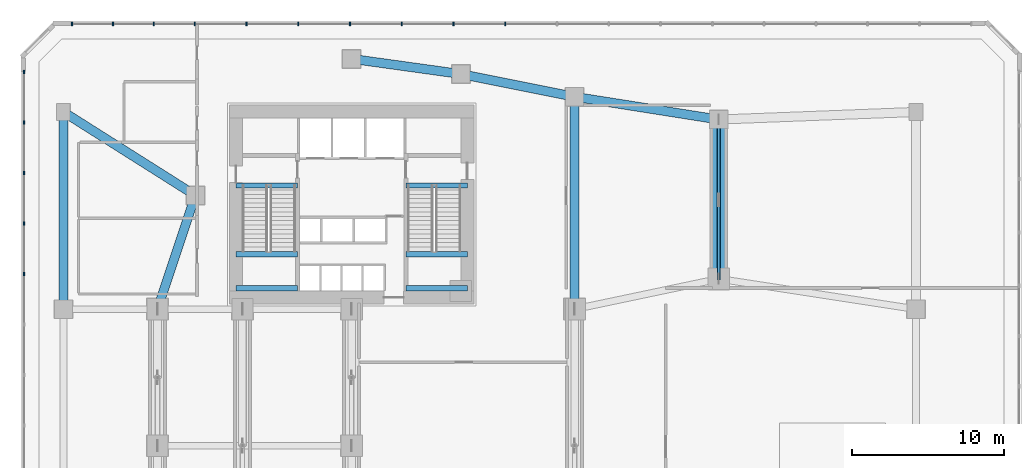
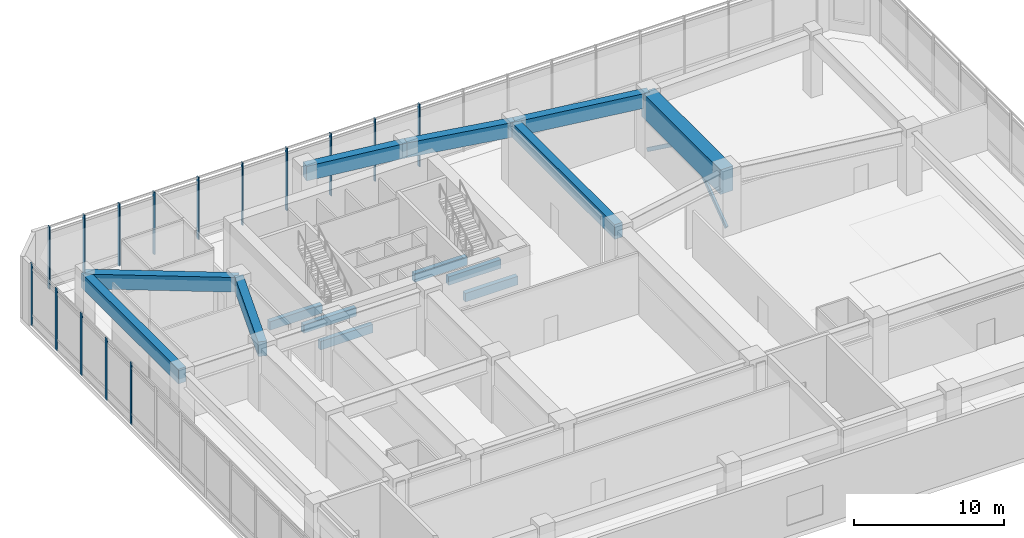
# One storey, part 8 of 21: 17 members, 14 beams, 2 elements without a shape of their own.
"""IFC4 building model written with IfcOpenShell, lengths in metres."""

from ifc_helpers import new_model, si_unit, direction, frame, origin, origin_2d, place, context, subcontext, project, spatial, rectangle, hollow_rectangle, extrude, source, transform, mapped, material, material_profile, profile_set, type_object, element, aggregate, save


model = new_model("IFC4")

# Units and contexts
model_context = context("Model", 3, precision=1e-05, world=origin(), true_north=direction((0.0, 1.0)))
body_context = subcontext(model_context, "Body", "Model", "MODEL_VIEW")
ifc_project = project(units=[si_unit("LENGTHUNIT", "METRE"), si_unit("AREAUNIT", "SQUARE_METRE"), si_unit("VOLUMEUNIT", "CUBIC_METRE"), si_unit("PLANEANGLEUNIT", "RADIAN"), si_unit("MASSUNIT", "GRAM", prefix="KILO")], contexts=[model_context])

# Site, building, storey
site_placement = place(None, origin())
site = spatial("IfcSite", under=ifc_project, at=site_placement, CompositionType="ELEMENT")
building_placement = place(site_placement, origin())
building = spatial("IfcBuilding", under=site, at=building_placement, Name="Calvemar Wedge Station Tower", CompositionType="ELEMENT")
storey_placement = place(building_placement, frame((0.0, 0.0, 21.60009765625)))
storey = spatial("IfcBuildingStorey", under=building, at=storey_placement, Name="L05", CompositionType="ELEMENT", Elevation=21.60009765625)

# Beams
ifc_material_1 = material(Name="Concrete C70", Category="concrete")
ifc_material_profile_1 = material_profile(ifc_material_1, rectangle(XDim=0.35009765625, YDim=0.699951171875, at=origin_2d()), Name="RC350x700")
ifc_profile_set_1 = profile_set([ifc_material_profile_1], Name="Concrete C70")
beam_type_1 = type_object("IfcBeamType", Name="BM-LN1-700", PredefinedType="LINTEL", material=ifc_profile_set_1)
shared_shape_1 = source(origin(), body_context, "Body", "SweptSolid", [
    extrude(rectangle(XDim=0.35009765625, YDim=0.699951171875, at=origin_2d()), origin(), (0.0, 0.0, 1.0), 4.054931640625),
])
for number, where, z_axis, x_axis, name in (
    (1, (16.175048828125, 41.14990234375, -0.35009765625), (1.0, 0.0, 0.0), (0.0, 1.0, 0.0), "Storey L05 Stair ST-C1 Landing Trimmer Beam"),
    (2, (27.3701171875, 41.14990234375, -0.35009765625), (1.0, 0.0, 0.0), (0.0, 1.0, 0.0), "Storey L05 Stair ST-C2 Landing Trimmer Beam"),
    (3, (16.175048828125, 34.3798828125, 2.14990234375), (1.0, 0.0, 0.0), (0.0, 1.0, 0.0), "Storey L05 Stair ST-C1 Half-Landing Beam 1A"),
    (4, (16.175048828125, 36.6201171875, 2.14990234375), (1.0, 0.0, 0.0), (0.0, 1.0, 0.0), "Storey L05 Stair ST-C1 Half-Landing Beam 1B"),
    (5, (27.3701171875, 34.3798828125, 2.14990234375), (1.0, 0.0, 0.0), (0.0, 1.0, 0.0), "Storey L05 Stair ST-C2 Half-Landing Beam 1A"),
    (6, (27.3701171875, 36.6201171875, 2.14990234375), (1.0, 0.0, 0.0), (0.0, 1.0, 0.0), "Storey L05 Stair ST-C2 Half-Landing Beam 1B"),
):
    element("IfcBeam", number, at=place(storey_placement, frame(where, z_axis=z_axis, x_axis=x_axis)), inside=storey, type_object=beam_type_1, Name=name, PredefinedType="LINTEL", context=body_context, shape_type="MappedRepresentation", body=[
        mapped(shared_shape_1, transform((0.0, 0.0, 0.0), scale=1.0)),
    ])
ifc_material_2 = material(Name="Concrete C60", Category="concrete")
ifc_material_profile_2 = material_profile(ifc_material_2, rectangle(XDim=0.60009765625, YDim=1.199951171875, at=origin_2d()), Name="RC600x1200")
ifc_profile_set_2 = profile_set([ifc_material_profile_2], Name="Concrete C60")
beam_type_2 = type_object("IfcBeamType", Name="BM-G1-1200", PredefinedType="BEAM", material=ifc_profile_set_2)
shared_shape_2 = source(origin(), body_context, "Body", "SweptSolid", [
    extrude(rectangle(XDim=0.60009765625, YDim=1.199951171875, at=origin_2d()), origin(), (0.0, 0.0, 1.0), 13.0),
])
beam_1_placement = place(storey_placement, frame((4.800048828125, 33.0, 4.449951171875), z_axis=(0.0, 1.0, 0.0), x_axis=(-1.0, 0.0, 0.0)))
element("IfcBeam", 7, at=beam_1_placement, inside=storey, type_object=beam_type_2, Name="L05 Podium Girder P-CN0-P-N0", PredefinedType="BEAM", context=body_context, shape_type="MappedRepresentation", body=[
    mapped(shared_shape_2, transform((0.0, 0.0, 0.0), scale=1.0)),
])
ifc_material_profile_3 = material_profile(ifc_material_1, rectangle(XDim=1.0, YDim=2.0, at=origin_2d()), Name="RC1000x2000")
ifc_profile_set_3 = profile_set([ifc_material_profile_3], Name="Concrete C70")
beam_type_3 = type_object("IfcBeamType", Name="BM-TG1-2000", PredefinedType="BEAM", material=ifc_profile_set_3)
shared_shape_3 = source(origin(), body_context, "Body", "SweptSolid", [
    extrude(rectangle(XDim=1.0, YDim=2.0, at=origin_2d()), origin(), (0.0, 0.0, 1.0), 10.5),
])
beam_2_placement = place(storey_placement, frame((48.0, 35.0, 4.0498046875), z_axis=(0.0, 1.0, 0.0), x_axis=(-1.0, 0.0, 0.0)))
element("IfcBeam", 8, at=beam_2_placement, inside=storey, type_object=beam_type_3, Name="L05 Transfer Girder TG-L05-NTIPA", PredefinedType="BEAM", context=body_context, shape_type="MappedRepresentation", body=[
    mapped(shared_shape_3, transform((0.0, 0.0, 0.0), scale=1.0)),
])

# Members
ifc_material_3 = material(Name="Structural steel ASTM A572 Grade 50", Category="steel")
ifc_material_profile_4 = material_profile(ifc_material_3, hollow_rectangle(XDim=0.199951171875, YDim=0.300048828125, WallThickness=0.013916015625, InnerFilletRadius=0.013916015625, OuterFilletRadius=0.028076171875, at=origin_2d()), Name="HSS300x200x14")
ifc_profile_set_4 = profile_set([ifc_material_profile_4], Name="Structural steel ASTM A572 Grade 50")
member_type_1 = type_object("IfcMemberType", Name="MEM-ST1-HSS300", PredefinedType="STRUT", material=ifc_profile_set_4)
shared_shape_4 = source(origin(), body_context, "Body", "SweptSolid", [
    extrude(hollow_rectangle(XDim=0.199951171875, YDim=0.300048828125, WallThickness=0.013916015625, InnerFilletRadius=0.013916015625, OuterFilletRadius=0.028076171875, at=origin_2d()), origin(), (0.0, 0.0, 1.0), 6.469970703125),
])
member_1_placement = place(storey_placement, frame((48.0, 35.0, 0.199951171875), z_axis=(0.0, 0.803702224164, 0.595031709134), x_axis=(-1.0, 0.0, 0.0)))
element("IfcMember", 9, at=member_1_placement, inside=storey, type_object=member_type_1, Name="L05 Blade Transfer Strut 1 to T-NTIP-A", PredefinedType="STRUT", context=body_context, shape_type="MappedRepresentation", body=[
    mapped(shared_shape_4, transform((0.0, 0.0, 0.0), scale=1.0)),
])
shared_shape_5 = source(origin(), body_context, "Body", "SweptSolid", [
    extrude(hollow_rectangle(XDim=0.199951171875, YDim=0.300048828125, WallThickness=0.013916015625, InnerFilletRadius=0.013916015625, OuterFilletRadius=0.028076171875, at=origin_2d()), origin(), (0.0, 0.0, 1.0), 6.55078125),
])
member_2_placement = place(storey_placement, frame((48.0, 45.5, 0.199951171875), z_axis=(0.0, -0.80907922703, 0.587699586855), x_axis=(1.0, 0.0, 0.0)))
element("IfcMember", 10, at=member_2_placement, inside=storey, type_object=member_type_1, Name="L05 Blade Transfer Strut 2 to T-NTIP-A", PredefinedType="STRUT", context=body_context, shape_type="MappedRepresentation", body=[
    mapped(shared_shape_5, transform((0.0, 0.0, 0.0), scale=1.0)),
])

# Beams
shared_shape_6 = source(origin(), body_context, "Body", "SweptSolid", [
    extrude(rectangle(XDim=0.60009765625, YDim=1.199951171875, at=origin_2d()), origin(), (0.0, 0.0, 1.0), 10.292724609375),
])
beam_3_placement = place(storey_placement, frame((4.800048828125, 46.0, 4.449951171875), z_axis=(0.845256603473, -0.534360621946, 0.0), x_axis=(0.534360621946, 0.845256603473, 0.0)))
element("IfcBeam", 11, at=beam_3_placement, inside=storey, type_object=beam_type_2, Name="L05 Podium Girder P-N0-P-N1", PredefinedType="BEAM", context=body_context, shape_type="MappedRepresentation", body=[
    mapped(shared_shape_6, transform((0.0, 0.0, 0.0), scale=1.0)),
])
shared_shape_7 = source(origin(), body_context, "Body", "SweptSolid", [
    extrude(rectangle(XDim=0.60009765625, YDim=1.199951171875, at=origin_2d()), origin(), (0.0, 0.0, 1.0), 7.26904296875),
])
beam_4_placement = place(storey_placement, frame((23.800048828125, 49.5, 4.449951171875), z_axis=(0.990492146053, -0.13756928657, 0.0), x_axis=(0.13756928657, 0.990492146053, 0.0)))
element("IfcBeam", 12, at=beam_4_placement, inside=storey, type_object=beam_type_2, Name="L05 Podium Girder P-N2-P-N3", PredefinedType="BEAM", context=body_context, shape_type="MappedRepresentation", body=[
    mapped(shared_shape_7, transform((0.0, 0.0, 0.0), scale=1.0)),
])
shared_shape_8 = source(origin(), body_context, "Body", "SweptSolid", [
    extrude(rectangle(XDim=0.60009765625, YDim=1.199951171875, at=origin_2d()), origin(), (0.0, 0.0, 1.0), 7.6484375),
])
beam_5_placement = place(storey_placement, frame((31.0, 48.5, 4.449951171875), z_axis=(0.980580675691, -0.196116135138, 0.0), x_axis=(0.196116135138, 0.980580675691, 0.0)))
element("IfcBeam", 13, at=beam_5_placement, inside=storey, type_object=beam_type_2, Name="L05 Podium Girder P-N3-P-N4", PredefinedType="BEAM", context=body_context, shape_type="MappedRepresentation", body=[
    mapped(shared_shape_8, transform((0.0, 0.0, 0.0), scale=1.0)),
])
shared_shape_9 = source(origin(), body_context, "Body", "SweptSolid", [
    extrude(rectangle(XDim=0.60009765625, YDim=1.199951171875, at=origin_2d()), origin(), (0.0, 0.0, 1.0), 9.61767578125),
])
beam_6_placement = place(storey_placement, frame((38.5, 47.0, 4.449951171875), z_axis=(0.987762965329, -0.155962573473, 0.0), x_axis=(0.155962573473, 0.987762965329, 0.0)))
element("IfcBeam", 14, at=beam_6_placement, inside=storey, type_object=beam_type_2, Name="L05 Podium Girder P-N4-P-N5", PredefinedType="BEAM", context=body_context, shape_type="MappedRepresentation", body=[
    mapped(shared_shape_9, transform((0.0, 0.0, 0.0), scale=1.0)),
])
shared_shape_10 = source(origin(), body_context, "Body", "SweptSolid", [
    extrude(rectangle(XDim=0.60009765625, YDim=1.199951171875, at=origin_2d()), origin(), (0.0, 0.0, 1.0), 7.90576171875),
])
beam_7_placement = place(storey_placement, frame((11.0, 33.0, 4.449951171875), z_axis=(0.316227766017, 0.948683298051, 0.0), x_axis=(-0.948683298051, 0.316227766017, 0.0)))
element("IfcBeam", 15, at=beam_7_placement, inside=storey, type_object=beam_type_2, Name="L05 Podium Girder P-CN1-P-N1", PredefinedType="BEAM", context=body_context, shape_type="MappedRepresentation", body=[
    mapped(shared_shape_10, transform((0.0, 0.0, 0.0), scale=1.0)),
])
shared_shape_11 = source(origin(), body_context, "Body", "SweptSolid", [
    extrude(rectangle(XDim=0.60009765625, YDim=1.199951171875, at=origin_2d()), origin(), (0.0, 0.0, 1.0), 14.0),
])
beam_8_placement = place(storey_placement, frame((38.5, 33.0, 4.449951171875), z_axis=(0.0, 1.0, 0.0), x_axis=(-1.0, 0.0, 0.0)))
element("IfcBeam", 16, at=beam_8_placement, inside=storey, type_object=beam_type_2, Name="L05 Podium Girder P-CN5-P-N4", PredefinedType="BEAM", context=body_context, shape_type="MappedRepresentation", body=[
    mapped(shared_shape_11, transform((0.0, 0.0, 0.0), scale=1.0)),
])

# Curtain wall, members
ifc_material_4 = material(Name="Anodised aluminium 6063-T6", Category="aluminium")
curtain_wall_type = type_object("IfcCurtainWallType", Name="CW5", PredefinedType="NOTDEFINED", material=ifc_material_4)
curtain_wall_1_placement = place(storey_placement, origin())
curtain_wall_1 = element("IfcCurtainWall", 17, at=curtain_wall_1_placement, inside=storey, type_object=curtain_wall_type, Name="Storey L05 CW5 Recessed Unitised Curtain Wall 4", PredefinedType="NOTDEFINED")
ifc_material_profile_5 = material_profile(ifc_material_4, rectangle(XDim=0.0849609375, YDim=0.239990234375, at=origin_2d()), Name="AL-MUL-85x240")
ifc_profile_set_5 = profile_set([ifc_material_profile_5], Name="Anodised aluminium 6063-T6")
member_type_2 = type_object("IfcMemberType", Name="CW5-MUL", PredefinedType="MULLION", material=ifc_profile_set_5)
shared_shape_12 = source(origin(), body_context, "Body", "SweptSolid", [
    extrude(rectangle(XDim=0.0849609375, YDim=0.239990234375, at=origin_2d()), origin(), (0.0, 0.0, 1.0), 5.099853515625),
])
member_3_placement = place(storey_placement, frame((33.93115234375, 51.7900390625, -0.050048828125), z_axis=(0.0, 0.0, 1.0), x_axis=(1.0, 0.0, 0.0)))
member_3 = element("IfcMember", 18, at=member_3_placement, type_object=member_type_2, Name="CW5 mullion 10", PredefinedType="MULLION", context=body_context, shape_type="MappedRepresentation", body=[
    mapped(shared_shape_12, transform((0.0, 0.0, 0.0), scale=1.0)),
])
member_4_placement = place(storey_placement, frame((30.519287109375, 51.7900390625, -0.050048828125), z_axis=(0.0, 0.0, 1.0), x_axis=(1.0, 0.0, 0.0)))
member_4 = element("IfcMember", 19, at=member_4_placement, type_object=member_type_2, Name="CW5 mullion 11", PredefinedType="MULLION", context=body_context, shape_type="MappedRepresentation", body=[
    mapped(shared_shape_12, transform((0.0, 0.0, 0.0), scale=1.0)),
])
member_5_placement = place(storey_placement, frame((27.107421875, 51.7900390625, -0.050048828125), z_axis=(0.0, 0.0, 1.0), x_axis=(1.0, 0.0, 0.0)))
member_5 = element("IfcMember", 20, at=member_5_placement, type_object=member_type_2, Name="CW5 mullion 12", PredefinedType="MULLION", context=body_context, shape_type="MappedRepresentation", body=[
    mapped(shared_shape_12, transform((0.0, 0.0, 0.0), scale=1.0)),
])
member_6_placement = place(storey_placement, frame((23.695556640625, 51.7900390625, -0.050048828125), z_axis=(0.0, 0.0, 1.0), x_axis=(1.0, 0.0, 0.0)))
member_6 = element("IfcMember", 21, at=member_6_placement, type_object=member_type_2, Name="CW5 mullion 13", PredefinedType="MULLION", context=body_context, shape_type="MappedRepresentation", body=[
    mapped(shared_shape_12, transform((0.0, 0.0, 0.0), scale=1.0)),
])
member_7_placement = place(storey_placement, frame((20.28369140625, 51.7900390625, -0.050048828125), z_axis=(0.0, 0.0, 1.0), x_axis=(1.0, 0.0, 0.0)))
member_7 = element("IfcMember", 22, at=member_7_placement, type_object=member_type_2, Name="CW5 mullion 14", PredefinedType="MULLION", context=body_context, shape_type="MappedRepresentation", body=[
    mapped(shared_shape_12, transform((0.0, 0.0, 0.0), scale=1.0)),
])
member_8_placement = place(storey_placement, frame((16.871826171875, 51.7900390625, -0.050048828125), z_axis=(0.0, 0.0, 1.0), x_axis=(1.0, 0.0, 0.0)))
member_8 = element("IfcMember", 23, at=member_8_placement, type_object=member_type_2, Name="CW5 mullion 15", PredefinedType="MULLION", context=body_context, shape_type="MappedRepresentation", body=[
    mapped(shared_shape_12, transform((0.0, 0.0, 0.0), scale=1.0)),
])
member_9_placement = place(storey_placement, frame((13.4599609375, 51.7900390625, -0.050048828125), z_axis=(0.0, 0.0, 1.0), x_axis=(1.0, 0.0, 0.0)))
member_9 = element("IfcMember", 24, at=member_9_placement, type_object=member_type_2, Name="CW5 mullion 16", PredefinedType="MULLION", context=body_context, shape_type="MappedRepresentation", body=[
    mapped(shared_shape_12, transform((0.0, 0.0, 0.0), scale=1.0)),
])
member_10_placement = place(storey_placement, frame((10.7607421875, 51.7900390625, -0.050048828125), z_axis=(0.0, 0.0, 1.0), x_axis=(1.0, 0.0, 0.0)))
member_10 = element("IfcMember", 25, at=member_10_placement, type_object=member_type_2, Name="CW5 mullion 17", PredefinedType="MULLION", context=body_context, shape_type="MappedRepresentation", body=[
    mapped(shared_shape_12, transform((0.0, 0.0, 0.0), scale=1.0)),
])
member_11_placement = place(storey_placement, frame((8.061279296875, 51.7900390625, -0.050048828125), z_axis=(0.0, 0.0, 1.0), x_axis=(1.0, 0.0, 0.0)))
member_11 = element("IfcMember", 26, at=member_11_placement, type_object=member_type_2, Name="CW5 mullion 18", PredefinedType="MULLION", context=body_context, shape_type="MappedRepresentation", body=[
    mapped(shared_shape_12, transform((0.0, 0.0, 0.0), scale=1.0)),
])
member_12_placement = place(storey_placement, frame((5.362060546875, 51.7900390625, -0.050048828125), z_axis=(0.0, 0.0, 1.0), x_axis=(1.0, 0.0, 0.0)))
member_12 = element("IfcMember", 27, at=member_12_placement, type_object=member_type_2, Name="CW5 mullion 19", PredefinedType="MULLION", context=body_context, shape_type="MappedRepresentation", body=[
    mapped(shared_shape_12, transform((0.0, 0.0, 0.0), scale=1.0)),
])
aggregate(curtain_wall_1, [member_3, member_4, member_5, member_6, member_7, member_8, member_9, member_10, member_11, member_12])

curtain_wall_2_placement = place(storey_placement, origin())
curtain_wall_2 = element("IfcCurtainWall", 28, at=curtain_wall_2_placement, inside=storey, type_object=curtain_wall_type, Name="Storey L05 CW5 Recessed Unitised Curtain Wall 6", PredefinedType="NOTDEFINED")
member_13_placement = place(storey_placement, frame((2.2099609375, 48.637939453125, -0.050048828125), z_axis=(0.0, 0.0, 1.0), x_axis=(1.0, 0.0, 0.0)))
member_13 = element("IfcMember", 29, at=member_13_placement, type_object=member_type_2, Name="CW5 mullion 1", PredefinedType="MULLION", context=body_context, shape_type="MappedRepresentation", body=[
    mapped(shared_shape_12, transform((0.0, 0.0, 0.0), scale=1.0)),
])
member_14_placement = place(storey_placement, frame((2.2099609375, 45.30908203125, -0.050048828125), z_axis=(0.0, 0.0, 1.0), x_axis=(1.0, 0.0, 0.0)))
member_14 = element("IfcMember", 30, at=member_14_placement, type_object=member_type_2, Name="CW5 mullion 2", PredefinedType="MULLION", context=body_context, shape_type="MappedRepresentation", body=[
    mapped(shared_shape_12, transform((0.0, 0.0, 0.0), scale=1.0)),
])
member_15_placement = place(storey_placement, frame((2.2099609375, 41.97998046875, -0.050048828125), z_axis=(0.0, 0.0, 1.0), x_axis=(1.0, 0.0, 0.0)))
member_15 = element("IfcMember", 31, at=member_15_placement, type_object=member_type_2, Name="CW5 mullion 3", PredefinedType="MULLION", context=body_context, shape_type="MappedRepresentation", body=[
    mapped(shared_shape_12, transform((0.0, 0.0, 0.0), scale=1.0)),
])
member_16_placement = place(storey_placement, frame((2.2099609375, 38.651123046875, -0.050048828125), z_axis=(0.0, 0.0, 1.0), x_axis=(1.0, 0.0, 0.0)))
member_16 = element("IfcMember", 32, at=member_16_placement, type_object=member_type_2, Name="CW5 mullion 4", PredefinedType="MULLION", context=body_context, shape_type="MappedRepresentation", body=[
    mapped(shared_shape_12, transform((0.0, 0.0, 0.0), scale=1.0)),
])
member_17_placement = place(storey_placement, frame((2.2099609375, 35.322265625, -0.050048828125), z_axis=(0.0, 0.0, 1.0), x_axis=(1.0, 0.0, 0.0)))
member_17 = element("IfcMember", 33, at=member_17_placement, type_object=member_type_2, Name="CW5 mullion 5", PredefinedType="MULLION", context=body_context, shape_type="MappedRepresentation", body=[
    mapped(shared_shape_12, transform((0.0, 0.0, 0.0), scale=1.0)),
])
aggregate(curtain_wall_2, [member_13, member_14, member_15, member_16, member_17])

save(model, "model.ifc")
